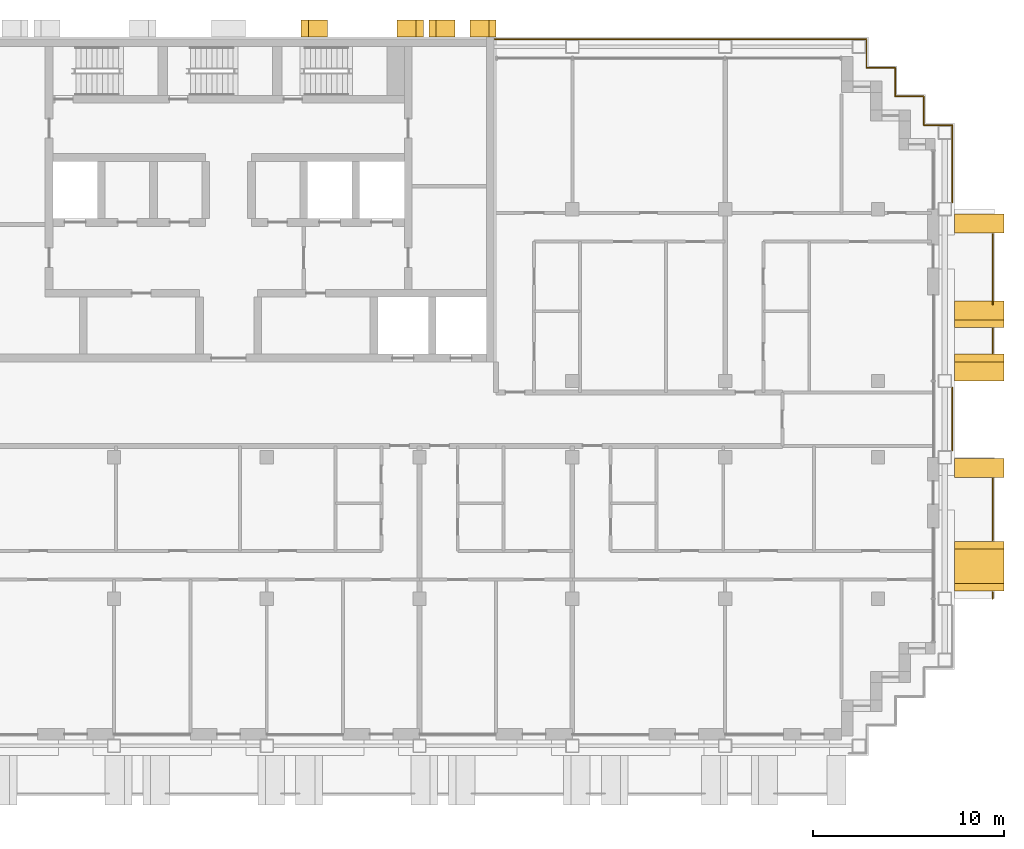
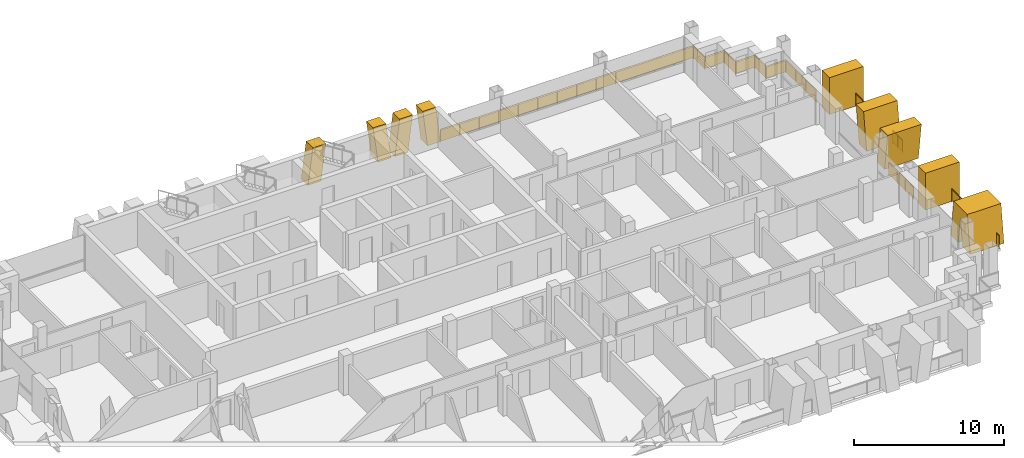
# One storey, part 16 of 16: 9 shading devices, 8 railings.
"""IFC4 building model written with IfcOpenShell, lengths in metres."""

from ifc_helpers import new_model, si_unit, direction, frame, origin, origin_2d, place, context, subcontext, project, spatial, polyline, rectangle, circle, outline, extrude, material, layer, layer_set, type_object, element, save


model = new_model("IFC4")

# Units and contexts
model_context = context("Model", 3, precision=1e-05, world=origin(), true_north=direction((0.0, 1.0)))
body_context = subcontext(model_context, "Body", "Model", "MODEL_VIEW")
ifc_project = project(units=[si_unit("LENGTHUNIT", "METRE"), si_unit("AREAUNIT", "SQUARE_METRE"), si_unit("VOLUMEUNIT", "CUBIC_METRE"), si_unit("PLANEANGLEUNIT", "RADIAN"), si_unit("MASSUNIT", "GRAM", prefix="KILO")], contexts=[model_context])

# Site, building, storey
site_placement = place(None, origin())
site = spatial("IfcSite", under=ifc_project, at=site_placement, CompositionType="ELEMENT")
building_placement = place(site_placement, origin())
building = spatial("IfcBuilding", under=site, at=building_placement, Name="Vidyagriha Tower", CompositionType="ELEMENT")
storey_placement = place(building_placement, frame((0.0, 0.0, 187.699951171875)))
storey = spatial("IfcBuildingStorey", under=building, at=storey_placement, Name="L49", CompositionType="ELEMENT", Elevation=187.699951171875)

# Railings
ifc_material_1 = material(Name="Steel ASTM A500 Grade C black painted", Category="steel")
railing_type_1 = type_object("IfcRailingType", Name="Balcony guard 1100", PredefinedType="BALUSTRADE", material=ifc_material_1)
railing_1_placement = place(storey_placement, frame((40.0, -9.39990234375, 0.0)))
element("IfcRailing", 1, at=railing_1_placement, inside=storey, type_object=railing_type_1, Name="Balcony guard L49 R30.1-1", PredefinedType="BALUSTRADE", context=body_context, shape_type="SweptSolid", body=[
    extrude(circle(Radius=0.02490234375, at=origin_2d()), frame((0.0, 0.0, 1.0751953125), z_axis=(0.0, 1.0, 0.0), x_axis=(-1.0, 0.0, 0.0)), (0.0, 0.0, 1.0), 0.349853515625),
    extrude(circle(Radius=0.02001953125, at=origin_2d()), origin(), (0.0, 0.0, 1.0), 1.050048828125),
    extrude(circle(Radius=0.02001953125, at=origin_2d()), frame((0.0, 0.349853515625, 0.0)), (0.0, 0.0, 1.0), 1.050048828125),
    extrude(rectangle(XDim=0.010009765625, YDim=0.900146484375, at=origin_2d()), frame((0.0, 0.0, 0.550048828125), z_axis=(0.0, 1.0, 0.0), x_axis=(-1.0, 0.0, 0.0)), (0.0, 0.0, 1.0), 0.349853515625),
])
railing_2_placement = place(storey_placement, frame((40.0, -6.35009765625, 0.0)))
element("IfcRailing", 2, at=railing_2_placement, inside=storey, type_object=railing_type_1, Name="Balcony guard L49 R30.1-2", PredefinedType="BALUSTRADE", context=body_context, shape_type="SweptSolid", body=[
    extrude(circle(Radius=0.02490234375, at=origin_2d()), frame((0.0, 0.0, 1.0751953125), z_axis=(0.0, 1.0, 0.0), x_axis=(-1.0, 0.0, 0.0)), (0.0, 0.0, 1.0), 3.25),
    extrude(circle(Radius=0.02001953125, at=origin_2d()), origin(), (0.0, 0.0, 1.0), 1.050048828125),
    extrude(circle(Radius=0.02001953125, at=origin_2d()), frame((0.0, 1.083251953125, 0.0)), (0.0, 0.0, 1.0), 1.050048828125),
    extrude(circle(Radius=0.02001953125, at=origin_2d()), frame((0.0, 2.166748046875, 0.0)), (0.0, 0.0, 1.0), 1.050048828125),
    extrude(circle(Radius=0.02001953125, at=origin_2d()), frame((0.0, 3.25, 0.0)), (0.0, 0.0, 1.0), 1.050048828125),
    extrude(rectangle(XDim=0.010009765625, YDim=0.900146484375, at=origin_2d()), frame((0.0, 0.0, 0.550048828125), z_axis=(0.0, 1.0, 0.0), x_axis=(-1.0, 0.0, 0.0)), (0.0, 0.0, 1.0), 3.25),
])
railing_3_placement = place(storey_placement, frame((40.0, 3.449951171875, 0.0)))
element("IfcRailing", 3, at=railing_3_placement, inside=storey, type_object=railing_type_1, Name="Balcony guard L49 R30.2-1", PredefinedType="BALUSTRADE", context=body_context, shape_type="SweptSolid", body=[
    extrude(circle(Radius=0.02490234375, at=origin_2d()), frame((0.0, 0.0, 1.0751953125), z_axis=(0.0, 1.0, 0.0), x_axis=(-1.0, 0.0, 0.0)), (0.0, 0.0, 1.0), 1.300048828125),
    extrude(circle(Radius=0.02001953125, at=origin_2d()), origin(), (0.0, 0.0, 1.0), 1.050048828125),
    extrude(circle(Radius=0.02001953125, at=origin_2d()), frame((0.0, 0.64990234375, 0.0)), (0.0, 0.0, 1.0), 1.050048828125),
    extrude(circle(Radius=0.02001953125, at=origin_2d()), frame((0.0, 1.300048828125, 0.0)), (0.0, 0.0, 1.0), 1.050048828125),
    extrude(rectangle(XDim=0.010009765625, YDim=0.900146484375, at=origin_2d()), frame((0.0, 0.0, 0.550048828125), z_axis=(0.0, 1.0, 0.0), x_axis=(-1.0, 0.0, 0.0)), (0.0, 0.0, 1.0), 1.300048828125),
])
railing_4_placement = place(storey_placement, frame((40.0, 6.00341796875, 0.0)))
element("IfcRailing", 4, at=railing_4_placement, inside=storey, type_object=railing_type_1, Name="Balcony guard L49 R30.2-2", PredefinedType="BALUSTRADE", context=body_context, shape_type="SweptSolid", body=[
    extrude(circle(Radius=0.02490234375, at=origin_2d()), frame((0.0, 0.0, 1.0751953125), z_axis=(0.0, 1.0, 0.0), x_axis=(-1.0, 0.0, 0.0)), (0.0, 0.0, 1.0), 3.696533203125),
    extrude(circle(Radius=0.02001953125, at=origin_2d()), origin(), (0.0, 0.0, 1.0), 1.050048828125),
    extrude(circle(Radius=0.02001953125, at=origin_2d()), frame((0.0, 0.924072265625, 0.0)), (0.0, 0.0, 1.0), 1.050048828125),
    extrude(circle(Radius=0.02001953125, at=origin_2d()), frame((0.0, 1.84814453125, 0.0)), (0.0, 0.0, 1.0), 1.050048828125),
    extrude(circle(Radius=0.02001953125, at=origin_2d()), frame((0.0, 2.7724609375, 0.0)), (0.0, 0.0, 1.0), 1.050048828125),
    extrude(circle(Radius=0.02001953125, at=origin_2d()), frame((0.0, 3.696533203125, 0.0)), (0.0, 0.0, 1.0), 1.050048828125),
    extrude(rectangle(XDim=0.010009765625, YDim=0.900146484375, at=origin_2d()), frame((0.0, 0.0, 0.550048828125), z_axis=(0.0, 1.0, 0.0), x_axis=(-1.0, 0.0, 0.0)), (0.0, 0.0, 1.0), 3.696533203125),
])

# Shading devices
ifc_material_2 = material(Name="Precast concrete C40/50 with buff brick facing", Category="concrete")
ifc_layer_1 = layer(ifc_material_2, 1.0)
ifc_layer_set_1 = layer_set([ifc_layer_1], Name="Precast concrete C40/50 with buff brick facing")
shading_device_type_1 = type_object("IfcShadingDeviceType", Name="Brick-faced blade fin arm leaning 8 degrees", PredefinedType="USERDEFINED", material=ifc_layer_set_1)
shading_device_1_placement = place(storey_placement, frame((39.300048828125, 4.800048828125, 0.0), z_axis=(0.0, 0.0, 1.0), x_axis=(0.0, 1.0, 0.0)))
element("IfcShadingDevice", 5, at=shading_device_1_placement, inside=storey, type_object=shading_device_type_1, Name="Leaning blade fin L49 R30.1370a", ObjectType="BLADE FIN", PredefinedType="USERDEFINED", context=body_context, shape_type="SweptSolid", body=[
    extrude(outline(polyline([(0.0, 0.0), (1.0, 0.0), (1.39990234375, 3.0), (0.39990234375, 3.0), (0.0, 0.0)])), frame((0.0, 1.300048828125, 0.0), z_axis=(0.0, -1.0, 0.0), x_axis=(1.0, 0.0, 0.0)), (0.0, 0.0, 1.0), 2.60009765625),
])
shading_device_2_placement = place(storey_placement, frame((39.300048828125, 2.0, 0.0), z_axis=(0.0, 0.0, 1.0), x_axis=(0.0, 1.0, 0.0)))
element("IfcShadingDevice", 6, at=shading_device_2_placement, inside=storey, type_object=shading_device_type_1, Name="Leaning blade fin L49 R30.1370b", ObjectType="BLADE FIN", PredefinedType="USERDEFINED", context=body_context, shape_type="SweptSolid", body=[
    extrude(outline(polyline([(0.39990234375, 0.0), (1.39990234375, 0.0), (1.0, 3.0), (0.0, 3.0), (0.39990234375, 0.0)])), frame((0.0, 1.300048828125, 0.0), z_axis=(0.0, -1.0, 0.0), x_axis=(1.0, 0.0, 0.0)), (0.0, 0.0, 1.0), 2.60009765625),
])
ifc_material_3 = material(Name="Precast concrete C40/50 with buff brick facing", Category="concrete")
ifc_layer_2 = layer(ifc_material_3, 1.0)
ifc_layer_set_2 = layer_set([ifc_layer_2], Name="Precast concrete C40/50 with buff brick facing")
shading_device_type_2 = type_object("IfcShadingDeviceType", Name="Brick-faced blade fin forking 8 degrees", PredefinedType="USERDEFINED", material=ifc_layer_set_2)
shading_device_3_placement = place(storey_placement, frame((39.300048828125, -9.0, 0.0), z_axis=(0.0, 0.0, 1.0), x_axis=(0.0, 1.0, 0.0)))
element("IfcShadingDevice", 7, at=shading_device_3_placement, inside=storey, type_object=shading_device_type_2, Name="Forked blade fin L49 R30.230a", ObjectType="BLADE FIN", PredefinedType="USERDEFINED", context=body_context, shape_type="SweptSolid", body=[
    extrude(outline(polyline([(1.0, 0.0), (1.300048828125, 2.25), (1.60009765625, 0.0), (2.60009765625, 0.0), (2.199951171875, 3.0), (0.39990234375, 3.0), (0.0, 0.0), (1.0, 0.0)])), frame((0.0, 1.300048828125, 0.0), z_axis=(0.0, -1.0, 0.0), x_axis=(1.0, 0.0, 0.0)), (0.0, 0.0, 1.0), 2.60009765625),
])
ifc_material_4 = material(Name="Precast concrete C40/50 with buff brick facing", Category="concrete")
ifc_layer_3 = layer(ifc_material_4, 1.0)
ifc_layer_set_3 = layer_set([ifc_layer_3], Name="Precast concrete C40/50 with buff brick facing")
shading_device_type_3 = type_object("IfcShadingDeviceType", Name="Brick-faced blade fin stem 1000", PredefinedType="USERDEFINED", material=ifc_layer_set_3)
for number, where, z_axis, x_axis, name in (
    (8, (39.300048828125, -3.050048828125, 0.0), (0.0, 0.0, 1.0), (0.0, 1.0, 0.0), "Stem blade fin L49 R30.970a"),
    (9, (39.300048828125, 9.75, 0.0), (0.0, 0.0, 1.0), (0.0, 1.0, 0.0), "Stem blade fin L49 R30.2270a"),
):
    element("IfcShadingDevice", number, at=place(storey_placement, frame(where, z_axis=z_axis, x_axis=x_axis)), inside=storey, type_object=shading_device_type_3, Name=name, ObjectType="BLADE FIN", PredefinedType="USERDEFINED", context=body_context, shape_type="SweptSolid", body=[
        extrude(outline(polyline([(0.0, 0.0), (1.0, 0.0), (1.0, 3.0), (0.0, 3.0), (0.0, 0.0)])), frame((0.0, 1.300048828125, 0.0), z_axis=(0.0, -1.0, 0.0), x_axis=(1.0, 0.0, 0.0)), (0.0, 0.0, 1.0), 2.60009765625),
    ])
ifc_material_5 = material(Name="Precast concrete C40/50 with brick facing", Category="concrete")
ifc_layer_4 = layer(ifc_material_5, 1.0)
ifc_layer_set_4 = layer_set([ifc_layer_4], Name="Precast concrete C40/50 with brick facing")
shading_device_type_4 = type_object("IfcShadingDeviceType", Name="Brick-faced rear rib arm leaning 8 degrees", PredefinedType="USERDEFINED", material=ifc_layer_set_4)
shading_device_4_placement = place(storey_placement, frame((11.857177734375, 20.449951171875, 0.0), z_axis=(0.0, 0.0, 1.0), x_axis=(-1.0, 0.0, 0.0)))
element("IfcShadingDevice", 10, at=shading_device_4_placement, inside=storey, type_object=shading_device_type_4, Name="Rear rib arm L49 R08.1a", ObjectType="BLADE FIN", PredefinedType="USERDEFINED", context=body_context, shape_type="SweptSolid", body=[
    extrude(outline(polyline([(0.357177734375, 0.0), (1.357177734375, 0.0), (1.0, 2.920166015625), (0.0, 2.920166015625), (0.357177734375, 0.0)])), frame((0.0, 0.449951171875, 0.0), z_axis=(0.0, -1.0, 0.0), x_axis=(1.0, 0.0, 0.0)), (0.0, 0.0, 1.0), 0.89990234375),
])
shading_device_5_placement = place(storey_placement, frame((14.0, 20.449951171875, 0.0), z_axis=(0.0, 0.0, 1.0), x_axis=(-1.0, 0.0, 0.0)))
element("IfcShadingDevice", 11, at=shading_device_5_placement, inside=storey, type_object=shading_device_type_4, Name="Rear rib arm L49 R08.1b", ObjectType="BLADE FIN", PredefinedType="USERDEFINED", context=body_context, shape_type="SweptSolid", body=[
    extrude(outline(polyline([(0.0, 0.0), (1.0, 0.0), (1.357177734375, 2.920166015625), (0.357177734375, 2.920166015625), (0.0, 0.0)])), frame((0.0, 0.449951171875, 0.0), z_axis=(0.0, -1.0, 0.0), x_axis=(1.0, 0.0, 0.0)), (0.0, 0.0, 1.0), 0.89990234375),
])
shading_device_6_placement = place(storey_placement, frame((5.185791015625, 20.449951171875, 0.0), z_axis=(0.0, 0.0, 1.0), x_axis=(-1.0, 0.0, 0.0)))
element("IfcShadingDevice", 12, at=shading_device_6_placement, inside=storey, type_object=shading_device_type_4, Name="Rear rib arm L49 R08.2a", ObjectType="BLADE FIN", PredefinedType="USERDEFINED", context=body_context, shape_type="SweptSolid", body=[
    extrude(outline(polyline([(0.3857421875, 0.0), (1.3857421875, 0.0), (1.0, 2.920166015625), (0.0, 2.920166015625), (0.3857421875, 0.0)])), frame((0.0, 0.449951171875, 0.0), z_axis=(0.0, -1.0, 0.0), x_axis=(1.0, 0.0, 0.0)), (0.0, 0.0, 1.0), 0.89990234375),
])
shading_device_7_placement = place(storey_placement, frame((10.199951171875, 20.449951171875, 0.0), z_axis=(0.0, 0.0, 1.0), x_axis=(-1.0, 0.0, 0.0)))
element("IfcShadingDevice", 13, at=shading_device_7_placement, inside=storey, type_object=shading_device_type_4, Name="Rear rib arm L49 R08.2b", ObjectType="BLADE FIN", PredefinedType="USERDEFINED", context=body_context, shape_type="SweptSolid", body=[
    extrude(outline(polyline([(0.0, 0.0), (1.0, 0.0), (1.3857421875, 2.920166015625), (0.3857421875, 2.920166015625), (0.0, 0.0)])), frame((0.0, 0.449951171875, 0.0), z_axis=(0.0, -1.0, 0.0), x_axis=(1.0, 0.0, 0.0)), (0.0, 0.0, 1.0), 0.89990234375),
])

# Railings
ifc_material_6 = material(Name="Steel ASTM A500 Grade C black painted", Category="steel")
railing_type_2 = type_object("IfcRailingType", Name="Gallery guard 1100", PredefinedType="GUARDRAIL", material=ifc_material_6)
railing_5_placement = place(storey_placement, frame((13.929931640625, 19.89990234375, 0.0)))
element("IfcRailing", 14, at=railing_5_placement, inside=storey, type_object=railing_type_2, Name="Gallery guard L49 6", PredefinedType="GUARDRAIL", context=body_context, shape_type="SweptSolid", body=[
    extrude(circle(Radius=0.02490234375, at=origin_2d()), frame((0.0, 0.0, 1.0751953125), z_axis=(1.0, 0.0, 0.0), x_axis=(0.0, 1.0, 0.0)), (0.0, 0.0, 1.0), 12.0),
    extrude(circle(Radius=0.02001953125, at=origin_2d()), origin(), (0.0, 0.0, 1.0), 1.050048828125),
    extrude(circle(Radius=0.02001953125, at=origin_2d()), frame((1.5, 0.0, 0.0)), (0.0, 0.0, 1.0), 1.050048828125),
    extrude(circle(Radius=0.02001953125, at=origin_2d()), frame((3.0, 0.0, 0.0)), (0.0, 0.0, 1.0), 1.050048828125),
    extrude(circle(Radius=0.02001953125, at=origin_2d()), frame((4.5, 0.0, 0.0)), (0.0, 0.0, 1.0), 1.050048828125),
    extrude(circle(Radius=0.02001953125, at=origin_2d()), frame((6.0, 0.0, 0.0)), (0.0, 0.0, 1.0), 1.050048828125),
    extrude(circle(Radius=0.02001953125, at=origin_2d()), frame((7.5, 0.0, 0.0)), (0.0, 0.0, 1.0), 1.050048828125),
    extrude(circle(Radius=0.02001953125, at=origin_2d()), frame((9.0, 0.0, 0.0)), (0.0, 0.0, 1.0), 1.050048828125),
    extrude(circle(Radius=0.02001953125, at=origin_2d()), frame((10.5, 0.0, 0.0)), (0.0, 0.0, 1.0), 1.050048828125),
    extrude(circle(Radius=0.02001953125, at=origin_2d()), frame((12.0, 0.0, 0.0)), (0.0, 0.0, 1.0), 1.050048828125),
    extrude(rectangle(XDim=0.010009765625, YDim=0.900146484375, at=origin_2d()), frame((0.0, 0.0, 0.550048828125), z_axis=(1.0, 0.0, 0.0), x_axis=(0.0, 1.0, 0.0)), (0.0, 0.0, 1.0), 12.0),
])
railing_6_placement = place(storey_placement, frame((25.929931640625, 19.89990234375, 0.0)))
element("IfcRailing", 15, at=railing_6_placement, inside=storey, type_object=railing_type_2, Name="Gallery guard L49 7", PredefinedType="GUARDRAIL", context=body_context, shape_type="SweptSolid", body=[
    extrude(circle(Radius=0.02490234375, at=origin_2d()), frame((0.0, 0.0, 1.0751953125), z_axis=(1.0, 0.0, 0.0), x_axis=(0.0, 1.0, 0.0)), (0.0, 0.0, 1.0), 7.469970703125),
    extrude(circle(Radius=0.02490234375, at=origin_2d()), frame((7.469970703125, 0.0, 1.0751953125), z_axis=(0.0, -1.0, 0.0), x_axis=(1.0, 0.0, 0.0)), (0.0, 0.0, 1.0), 1.5),
    extrude(circle(Radius=0.02490234375, at=origin_2d()), frame((7.469970703125, -1.5, 1.0751953125), z_axis=(1.0, 0.0, 0.0), x_axis=(0.0, 1.0, 0.0)), (0.0, 0.0, 1.0), 1.5),
    extrude(circle(Radius=0.02490234375, at=origin_2d()), frame((8.969970703125, -1.5, 1.0751953125), z_axis=(0.0, -1.0, 0.0), x_axis=(1.0, 0.0, 0.0)), (0.0, 0.0, 1.0), 1.5),
    extrude(circle(Radius=0.02490234375, at=origin_2d()), frame((8.969970703125, -3.0, 1.0751953125), z_axis=(1.0, 0.0, 0.0), x_axis=(0.0, 1.0, 0.0)), (0.0, 0.0, 1.0), 0.030029296875),
    extrude(circle(Radius=0.02001953125, at=origin_2d()), origin(), (0.0, 0.0, 1.0), 1.050048828125),
    extrude(circle(Radius=0.02001953125, at=origin_2d()), frame((1.493896484375, 0.0, 0.0)), (0.0, 0.0, 1.0), 1.050048828125),
    extrude(circle(Radius=0.02001953125, at=origin_2d()), frame((2.988037109375, 0.0, 0.0)), (0.0, 0.0, 1.0), 1.050048828125),
    extrude(circle(Radius=0.02001953125, at=origin_2d()), frame((4.48193359375, 0.0, 0.0)), (0.0, 0.0, 1.0), 1.050048828125),
    extrude(circle(Radius=0.02001953125, at=origin_2d()), frame((5.97607421875, 0.0, 0.0)), (0.0, 0.0, 1.0), 1.050048828125),
    extrude(circle(Radius=0.02001953125, at=origin_2d()), frame((7.469970703125, 0.0, 0.0)), (0.0, 0.0, 1.0), 1.050048828125),
    extrude(circle(Radius=0.02001953125, at=origin_2d()), frame((7.469970703125, -1.5, 0.0)), (0.0, 0.0, 1.0), 1.050048828125),
    extrude(circle(Radius=0.02001953125, at=origin_2d()), frame((8.969970703125, -1.5, 0.0)), (0.0, 0.0, 1.0), 1.050048828125),
    extrude(circle(Radius=0.02001953125, at=origin_2d()), frame((8.969970703125, -3.0, 0.0)), (0.0, 0.0, 1.0), 1.050048828125),
    extrude(circle(Radius=0.02001953125, at=origin_2d()), frame((9.0, -3.0, 0.0)), (0.0, 0.0, 1.0), 1.050048828125),
    extrude(rectangle(XDim=0.010009765625, YDim=0.900146484375, at=origin_2d()), frame((0.0, 0.0, 0.550048828125), z_axis=(1.0, 0.0, 0.0), x_axis=(0.0, 1.0, 0.0)), (0.0, 0.0, 1.0), 7.469970703125),
    extrude(rectangle(XDim=0.010009765625, YDim=0.900146484375, at=origin_2d()), frame((7.469970703125, 0.0, 0.550048828125), z_axis=(0.0, -1.0, 0.0), x_axis=(1.0, 0.0, 0.0)), (0.0, 0.0, 1.0), 1.5),
    extrude(rectangle(XDim=0.010009765625, YDim=0.900146484375, at=origin_2d()), frame((7.469970703125, -1.5, 0.550048828125), z_axis=(1.0, 0.0, 0.0), x_axis=(0.0, 1.0, 0.0)), (0.0, 0.0, 1.0), 1.5),
    extrude(rectangle(XDim=0.010009765625, YDim=0.900146484375, at=origin_2d()), frame((8.969970703125, -1.5, 0.550048828125), z_axis=(0.0, -1.0, 0.0), x_axis=(1.0, 0.0, 0.0)), (0.0, 0.0, 1.0), 1.5),
    extrude(rectangle(XDim=0.010009765625, YDim=0.900146484375, at=origin_2d()), frame((8.969970703125, -3.0, 0.550048828125), z_axis=(1.0, 0.0, 0.0), x_axis=(0.0, 1.0, 0.0)), (0.0, 0.0, 1.0), 0.030029296875),
])
railing_7_placement = place(storey_placement, frame((34.929931640625, 16.89990234375, 0.0)))
element("IfcRailing", 16, at=railing_7_placement, inside=storey, type_object=railing_type_2, Name="Gallery guard L49 8", PredefinedType="GUARDRAIL", context=body_context, shape_type="SweptSolid", body=[
    extrude(circle(Radius=0.02490234375, at=origin_2d()), frame((0.0, 0.0, 1.0751953125), z_axis=(1.0, 0.0, 0.0), x_axis=(0.0, 1.0, 0.0)), (0.0, 0.0, 1.0), 1.469970703125),
    extrude(circle(Radius=0.02490234375, at=origin_2d()), frame((1.469970703125, 0.0, 1.0751953125), z_axis=(0.0, -1.0, 0.0), x_axis=(1.0, 0.0, 0.0)), (0.0, 0.0, 1.0), 1.5),
    extrude(circle(Radius=0.02490234375, at=origin_2d()), frame((1.469970703125, -1.5, 1.0751953125), z_axis=(1.0, 0.0, 0.0), x_axis=(0.0, 1.0, 0.0)), (0.0, 0.0, 1.0), 1.5),
    extrude(circle(Radius=0.02490234375, at=origin_2d()), frame((2.969970703125, -1.5, 1.0751953125), z_axis=(0.0, -1.0, 0.0), x_axis=(1.0, 0.0, 0.0)), (0.0, 0.0, 1.0), 4.039794921875),
    extrude(circle(Radius=0.02001953125, at=origin_2d()), origin(), (0.0, 0.0, 1.0), 1.050048828125),
    extrude(circle(Radius=0.02001953125, at=origin_2d()), frame((1.469970703125, 0.0, 0.0)), (0.0, 0.0, 1.0), 1.050048828125),
    extrude(circle(Radius=0.02001953125, at=origin_2d()), frame((1.469970703125, -1.5, 0.0)), (0.0, 0.0, 1.0), 1.050048828125),
    extrude(circle(Radius=0.02001953125, at=origin_2d()), frame((2.969970703125, -1.5, 0.0)), (0.0, 0.0, 1.0), 1.050048828125),
    extrude(circle(Radius=0.02001953125, at=origin_2d()), frame((2.969970703125, -2.8466796875, 0.0)), (0.0, 0.0, 1.0), 1.050048828125),
    extrude(circle(Radius=0.02001953125, at=origin_2d()), frame((2.969970703125, -4.193115234375, 0.0)), (0.0, 0.0, 1.0), 1.050048828125),
    extrude(circle(Radius=0.02001953125, at=origin_2d()), frame((2.969970703125, -5.539794921875, 0.0)), (0.0, 0.0, 1.0), 1.050048828125),
    extrude(rectangle(XDim=0.010009765625, YDim=0.900146484375, at=origin_2d()), frame((0.0, 0.0, 0.550048828125), z_axis=(1.0, 0.0, 0.0), x_axis=(0.0, 1.0, 0.0)), (0.0, 0.0, 1.0), 1.469970703125),
    extrude(rectangle(XDim=0.010009765625, YDim=0.900146484375, at=origin_2d()), frame((1.469970703125, 0.0, 0.550048828125), z_axis=(0.0, -1.0, 0.0), x_axis=(1.0, 0.0, 0.0)), (0.0, 0.0, 1.0), 1.5),
    extrude(rectangle(XDim=0.010009765625, YDim=0.900146484375, at=origin_2d()), frame((1.469970703125, -1.5, 0.550048828125), z_axis=(1.0, 0.0, 0.0), x_axis=(0.0, 1.0, 0.0)), (0.0, 0.0, 1.0), 1.5),
    extrude(rectangle(XDim=0.010009765625, YDim=0.900146484375, at=origin_2d()), frame((2.969970703125, -1.5, 0.550048828125), z_axis=(0.0, -1.0, 0.0), x_axis=(1.0, 0.0, 0.0)), (0.0, 0.0, 1.0), 4.039794921875),
])
railing_8_placement = place(storey_placement, frame((37.89990234375, 1.639892578125, 0.0)))
element("IfcRailing", 17, at=railing_8_placement, inside=storey, type_object=railing_type_2, Name="Gallery guard L49 11", PredefinedType="GUARDRAIL", context=body_context, shape_type="SweptSolid", body=[
    extrude(circle(Radius=0.02490234375, at=origin_2d()), frame((0.0, 0.0, 1.0751953125), z_axis=(0.0, -1.0, 0.0), x_axis=(1.0, 0.0, 0.0)), (0.0, 0.0, 1.0), 3.27978515625),
    extrude(circle(Radius=0.02001953125, at=origin_2d()), origin(), (0.0, 0.0, 1.0), 1.050048828125),
    extrude(circle(Radius=0.02001953125, at=origin_2d()), frame((0.0, -1.09326171875, 0.0)), (0.0, 0.0, 1.0), 1.050048828125),
    extrude(circle(Radius=0.02001953125, at=origin_2d()), frame((0.0, -2.1865234375, 0.0)), (0.0, 0.0, 1.0), 1.050048828125),
    extrude(circle(Radius=0.02001953125, at=origin_2d()), frame((0.0, -3.27978515625, 0.0)), (0.0, 0.0, 1.0), 1.050048828125),
    extrude(rectangle(XDim=0.010009765625, YDim=0.900146484375, at=origin_2d()), frame((0.0, 0.0, 0.550048828125), z_axis=(0.0, -1.0, 0.0), x_axis=(1.0, 0.0, 0.0)), (0.0, 0.0, 1.0), 3.27978515625),
])

save(model, "model.ifc")
